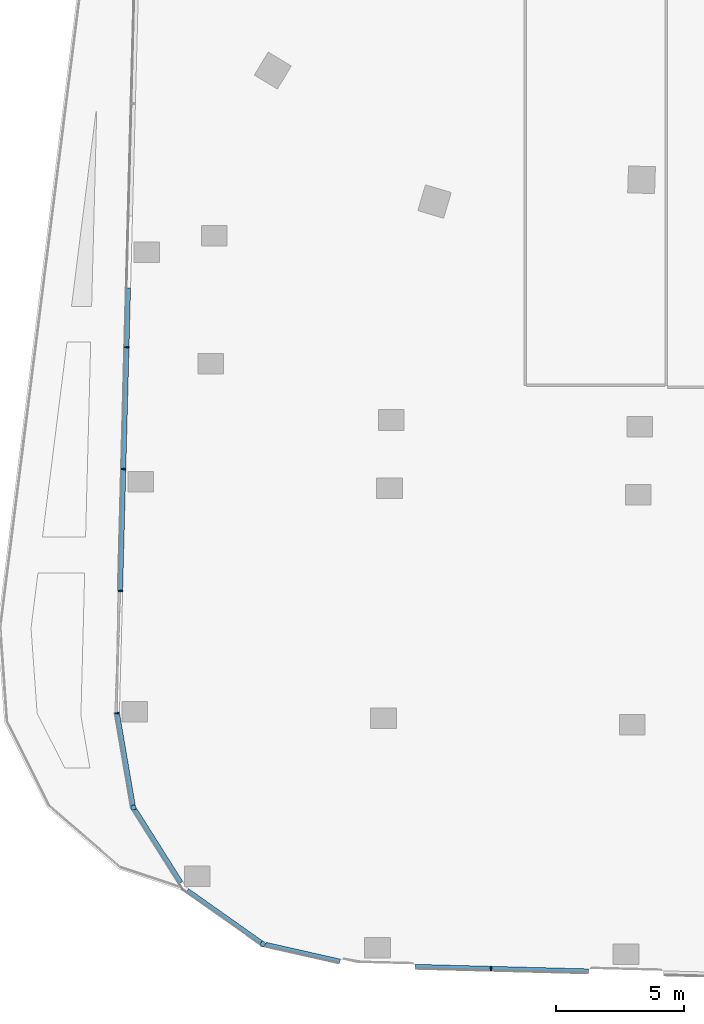
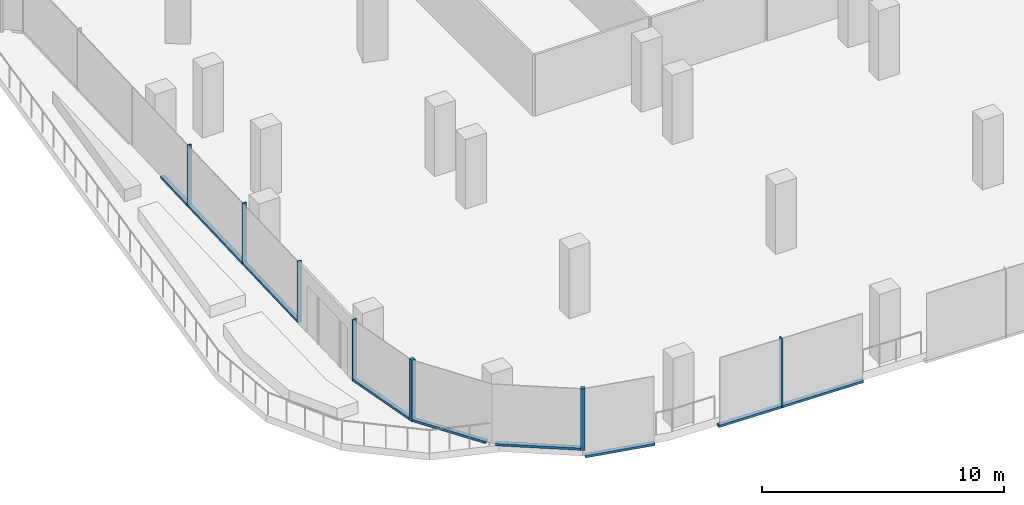
# One storey, part 2 of 24: 13 members, 6 elements without a shape of their own.
"""IFC4 building model written with IfcOpenShell, lengths in metres."""

from ifc_helpers import new_model, si_unit, direction, frame, origin, origin_2d, place, context, subcontext, project, spatial, rectangle, extrude, material, material_profile, profile_set, type_object, element, aggregate, save


model = new_model("IFC4")

# Units and contexts
model_context = context("Model", 3, precision=1e-05, world=origin(), true_north=direction((0.0, 1.0)))
body_context = subcontext(model_context, "Body", "Model", "MODEL_VIEW")
ifc_project = project(units=[si_unit("LENGTHUNIT", "METRE"), si_unit("AREAUNIT", "SQUARE_METRE"), si_unit("VOLUMEUNIT", "CUBIC_METRE"), si_unit("PLANEANGLEUNIT", "RADIAN"), si_unit("MASSUNIT", "GRAM", prefix="KILO")], contexts=[model_context])

# Site, building, storey
site_placement = place(None, origin())
site = spatial("IfcSite", under=ifc_project, at=site_placement, CompositionType="ELEMENT")
building_placement = place(site_placement, origin())
building = spatial("IfcBuilding", under=site, at=building_placement, Name="Orlundy Tower", CompositionType="ELEMENT")
storey_placement = place(building_placement, frame((0.0, 0.0, 210.5)))
storey = spatial("IfcBuildingStorey", under=building, at=storey_placement, Name="L55", CompositionType="ELEMENT", Elevation=210.5)

# Curtain wall, member
ifc_material_1 = material(Name="Aluminium bronze anodised", Category="aluminium")
curtain_wall_type = type_object("IfcCurtainWallType", Name="CW1 wall", PredefinedType="NOTDEFINED", material=ifc_material_1)
curtain_wall_1_placement = place(storey_placement, origin())
curtain_wall_1 = element("IfcCurtainWall", 1, at=curtain_wall_1_placement, inside=storey, type_object=curtain_wall_type, Name="CW1 run 025", PredefinedType="NOTDEFINED")
ifc_material_2 = material(Name="Aluminium bronze anodised", Category="aluminium")
ifc_material_profile_1 = material_profile(ifc_material_2, rectangle(XDim=0.179931640625, YDim=0.179931640625, at=origin_2d()), Name="CW1 corner post 180x180")
ifc_profile_set_1 = profile_set([ifc_material_profile_1], Name="Aluminium bronze anodised")
member_type_1 = type_object("IfcMemberType", Name="CW1 corner post 180x180", PredefinedType="MULLION", material=ifc_profile_set_1)
member_1_placement = place(storey_placement, frame((-15.732421875, -59.4697265625, 0.0), z_axis=(0.0, 0.0, 1.0), x_axis=(-0.577096231381, -0.816676153518, 0.0)))
member_1 = element("IfcMember", 2, at=member_1_placement, type_object=member_type_1, Name="CW1 mullion 58", PredefinedType="MULLION", context=body_context, shape_type="SweptSolid", body=[
    extrude(rectangle(XDim=0.179931640625, YDim=0.179931640625, at=origin_2d()), origin(), (0.0, 0.0, 1.0), 3.10009765625),
])

curtain_wall_2_placement = place(storey_placement, origin())
curtain_wall_2 = element("IfcCurtainWall", 3, at=curtain_wall_2_placement, inside=storey, type_object=curtain_wall_type, Name="CW1 run 027", PredefinedType="NOTDEFINED")
member_2_placement = place(storey_placement, frame((-20.78564453125, -54.144775390625, 0.0), z_axis=(0.0, 0.0, 1.0), x_axis=(-0.985542556373, -0.169428066085, 0.0)))
member_2 = element("IfcMember", 4, at=member_2_placement, type_object=member_type_1, Name="CW1 mullion 60", PredefinedType="MULLION", context=body_context, shape_type="SweptSolid", body=[
    extrude(rectangle(XDim=0.179931640625, YDim=0.179931640625, at=origin_2d()), origin(), (0.0, 0.0, 1.0), 3.10009765625),
])

# Curtain wall, members
curtain_wall_3_placement = place(storey_placement, origin())
curtain_wall_3 = element("IfcCurtainWall", 5, at=curtain_wall_3_placement, inside=storey, type_object=curtain_wall_type, Name="CW1 run 00", PredefinedType="NOTDEFINED")
ifc_material_3 = material(Name="Aluminium bronze anodised", Category="aluminium")
ifc_material_profile_2 = material_profile(ifc_material_3, rectangle(XDim=0.179931640625, YDim=0.050048828125, at=origin_2d()), Name="CW1 mullion 50x180")
ifc_profile_set_2 = profile_set([ifc_material_profile_2], Name="Aluminium bronze anodised")
member_type_2 = type_object("IfcMemberType", Name="CW1 mullion 50x180", PredefinedType="MULLION", material=ifc_profile_set_2)
member_3_placement = place(storey_placement, frame((-21.418212890625, -50.465576171875, 0.0), z_axis=(0.0, 0.0, 1.0), x_axis=(-0.997406748285, -0.071970677886, 0.0)))
member_3 = element("IfcMember", 6, at=member_3_placement, type_object=member_type_2, Name="CW1 mullion 1", PredefinedType="MULLION", context=body_context, shape_type="SweptSolid", body=[
    extrude(rectangle(XDim=0.179931640625, YDim=0.050048828125, at=origin_2d()), origin(), (0.0, 0.0, 1.0), 3.10009765625),
])
member_4_placement = place(storey_placement, frame((-21.29345703125, -45.702880859375, 0.0), z_axis=(0.0, 0.0, 1.0), x_axis=(-0.999657234212, 0.026180414199, 0.0)))
member_4 = element("IfcMember", 7, at=member_4_placement, type_object=member_type_2, Name="CW1 mullion 2", PredefinedType="MULLION", context=body_context, shape_type="SweptSolid", body=[
    extrude(rectangle(XDim=0.179931640625, YDim=0.050048828125, at=origin_2d()), origin(), (0.0, 0.0, 1.0), 3.10009765625),
])
member_5_placement = place(storey_placement, frame((-21.1689453125, -40.948974609375, 0.0), z_axis=(0.0, 0.0, 1.0), x_axis=(-0.999657234212, 0.026180414199, 0.0)))
member_5 = element("IfcMember", 8, at=member_5_placement, type_object=member_type_2, Name="CW1 mullion 3", PredefinedType="MULLION", context=body_context, shape_type="SweptSolid", body=[
    extrude(rectangle(XDim=0.179931640625, YDim=0.050048828125, at=origin_2d()), origin(), (0.0, 0.0, 1.0), 3.10009765625),
])
member_6_placement = place(storey_placement, frame((-21.04443359375, -36.195068359375, 0.0), z_axis=(0.0, 0.0, 1.0), x_axis=(-0.999657234212, 0.026180414199, 0.0)))
member_6 = element("IfcMember", 9, at=member_6_placement, type_object=member_type_2, Name="CW1 mullion 4", PredefinedType="MULLION", context=body_context, shape_type="SweptSolid", body=[
    extrude(rectangle(XDim=0.179931640625, YDim=0.050048828125, at=origin_2d()), origin(), (0.0, 0.0, 1.0), 3.10009765625),
])

# Curtain wall, member
curtain_wall_4_placement = place(storey_placement, origin())
curtain_wall_4 = element("IfcCurtainWall", 10, at=curtain_wall_4_placement, inside=storey, type_object=curtain_wall_type, Name="CW1 run 023", PredefinedType="NOTDEFINED")
member_7_placement = place(storey_placement, frame((-6.834228515625, -60.431396484375, -0.39990234375), z_axis=(0.0, 0.0, 1.0), x_axis=(-0.026190222342, -0.999656977295, 0.0)))
member_7 = element("IfcMember", 11, at=member_7_placement, type_object=member_type_2, Name="CW1 mullion 56", PredefinedType="MULLION", context=body_context, shape_type="SweptSolid", body=[
    extrude(rectangle(XDim=0.179931640625, YDim=0.050048828125, at=origin_2d()), origin(), (0.0, 0.0, 1.0), 3.5),
])

# Member
ifc_material_4 = material(Name="Aluminium bronze anodised", Category="aluminium")
ifc_material_profile_3 = material_profile(ifc_material_4, rectangle(XDim=0.179931640625, YDim=0.1201171875, at=origin_2d()), Name="CW1 transom 180x120")
ifc_profile_set_3 = profile_set([ifc_material_profile_3], Name="Aluminium bronze anodised")
member_type_3 = type_object("IfcMemberType", Name="CW1 transom 180x120", PredefinedType="USERDEFINED", material=ifc_profile_set_3)
member_8_placement = place(storey_placement, frame((-21.292724609375, -45.677734375, 0.06005859375), z_axis=(0.026164175682, 0.999657659357, 0.0), x_axis=(-0.999657659357, 0.026164175682, 0.0)))
member_8 = element("IfcMember", 12, at=member_8_placement, type_object=member_type_3, Name="CW1 transom", ObjectType="TRANSOM", PredefinedType="USERDEFINED", context=body_context, shape_type="SweptSolid", body=[
    extrude(rectangle(XDim=0.179931640625, YDim=0.1201171875, at=origin_2d()), origin(), (0.0, 0.0, 1.0), 11.803955078125),
])

aggregate(curtain_wall_3, [member_3, member_4, member_5, member_6, member_8])

member_9_placement = place(storey_placement, frame((-3.025390625, -60.53125, -0.340087890625), z_axis=(-0.999657374072, 0.026175073328, 0.0), x_axis=(-0.026175073328, -0.999657374072, 0.0)))
member_9 = element("IfcMember", 13, at=member_9_placement, type_object=member_type_3, Name="CW1 transom", ObjectType="TRANSOM", PredefinedType="USERDEFINED", context=body_context, shape_type="SweptSolid", body=[
    extrude(rectangle(XDim=0.179931640625, YDim=0.1201171875, at=origin_2d()), origin(), (0.0, 0.0, 1.0), 6.781005859375),
])

aggregate(curtain_wall_4, [member_7, member_9])

# Curtain wall, member
curtain_wall_5_placement = place(storey_placement, origin())
curtain_wall_5 = element("IfcCurtainWall", 14, at=curtain_wall_5_placement, inside=storey, type_object=curtain_wall_type, Name="CW1 run 024", PredefinedType="NOTDEFINED")
member_10_placement = place(storey_placement, frame((-12.72607421875, -60.150146484375, -0.340087890625), z_axis=(-0.975326925047, 0.220765462152, 0.0), x_axis=(-0.220765462152, -0.975326925047, 0.0)))
member_10 = element("IfcMember", 15, at=member_10_placement, type_object=member_type_3, Name="CW1 transom", ObjectType="TRANSOM", PredefinedType="USERDEFINED", context=body_context, shape_type="SweptSolid", body=[
    extrude(rectangle(XDim=0.179931640625, YDim=0.1201171875, at=origin_2d()), origin(), (0.0, 0.0, 1.0), 2.98486328125),
])
aggregate(curtain_wall_5, [member_10])

# Member
member_11_placement = place(storey_placement, frame((-15.805908203125, -59.41796875, 0.06005859375), z_axis=(-0.816662498502, 0.577115554756, 0.0), x_axis=(-0.577115554756, -0.816662498502, 0.0)))
member_11 = element("IfcMember", 16, at=member_11_placement, type_object=member_type_3, Name="CW1 transom", ObjectType="TRANSOM", PredefinedType="USERDEFINED", context=body_context, shape_type="SweptSolid", body=[
    extrude(rectangle(XDim=0.179931640625, YDim=0.1201171875, at=origin_2d()), origin(), (0.0, 0.0, 1.0), 3.5244140625),
])

aggregate(curtain_wall_1, [member_1, member_11])

# Curtain wall, member
curtain_wall_6_placement = place(storey_placement, origin())
curtain_wall_6 = element("IfcCurtainWall", 17, at=curtain_wall_6_placement, inside=storey, type_object=curtain_wall_type, Name="CW1 run 026", PredefinedType="NOTDEFINED")
member_12_placement = place(storey_placement, frame((-18.93701171875, -57.074951171875, 0.06005859375), z_axis=(-0.533591907668, 0.845742086023, 0.0), x_axis=(-0.845742086023, -0.533591907668, 0.0)))
member_12 = element("IfcMember", 18, at=member_12_placement, type_object=member_type_3, Name="CW1 transom", ObjectType="TRANSOM", PredefinedType="USERDEFINED", context=body_context, shape_type="SweptSolid", body=[
    extrude(rectangle(XDim=0.179931640625, YDim=0.1201171875, at=origin_2d()), origin(), (0.0, 0.0, 1.0), 3.366943359375),
])
aggregate(curtain_wall_6, [member_12])

# Member
member_13_placement = place(storey_placement, frame((-20.801025390625, -54.05615234375, 0.06005859375), z_axis=(-0.16943012929, 0.985542201678, 0.0), x_axis=(-0.985542201678, -0.16943012929, 0.0)))
member_13 = element("IfcMember", 19, at=member_13_placement, type_object=member_type_3, Name="CW1 transom", ObjectType="TRANSOM", PredefinedType="USERDEFINED", context=body_context, shape_type="SweptSolid", body=[
    extrude(rectangle(XDim=0.179931640625, YDim=0.1201171875, at=origin_2d()), origin(), (0.0, 0.0, 1.0), 3.6181640625),
])

aggregate(curtain_wall_2, [member_2, member_13])

save(model, "model.ifc")
